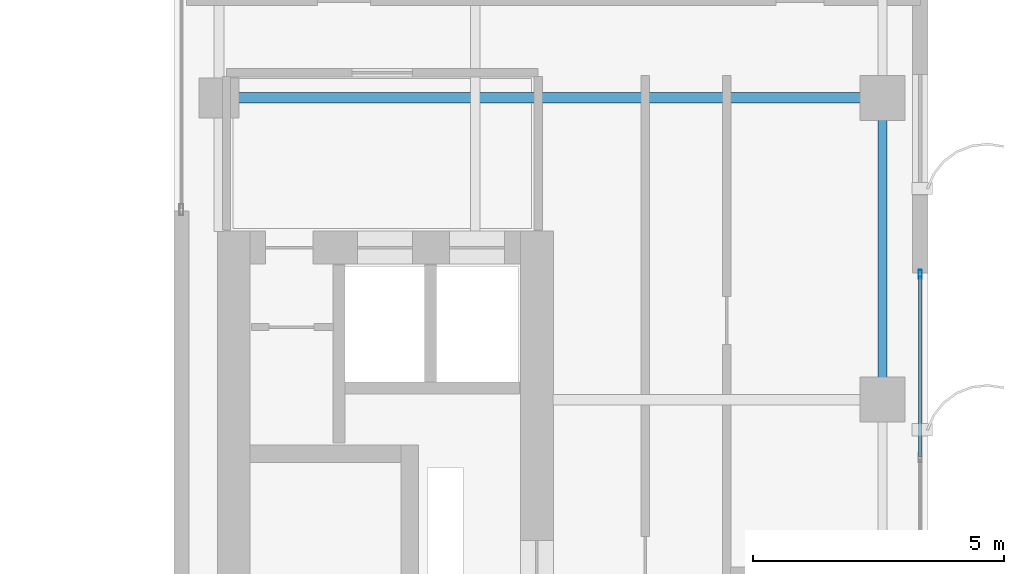
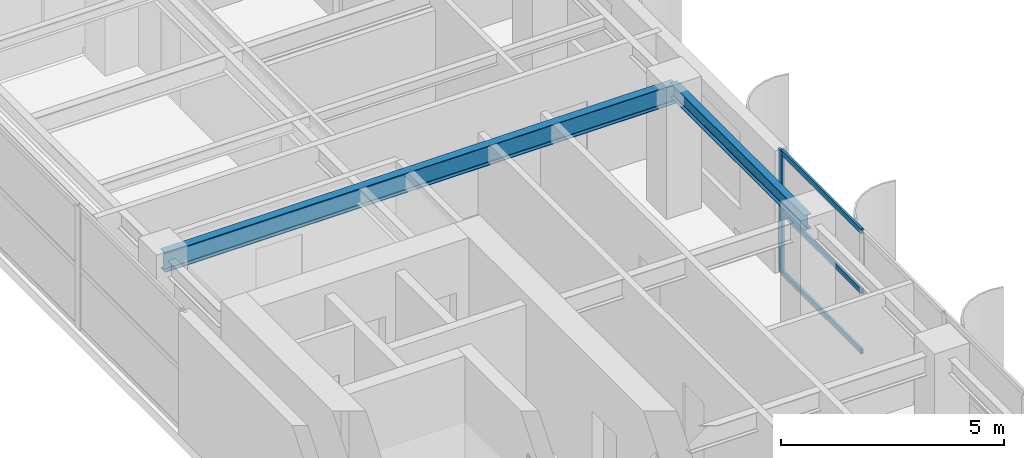
# One storey, part 12 of 22: 4 members, 2 beams, 1 element without a shape of its own.
"""IFC4 building model written with IfcOpenShell, lengths in metres."""

from ifc_helpers import new_model, si_unit, direction, frame, origin, origin_2d, place, context, subcontext, project, spatial, hollow_rectangle, i_section, extrude, source, transform, mapped, material, layer, layer_set, material_profile, profile_set, type_object, element, aggregate, save


model = new_model("IFC4")

# Units and contexts
model_context = context("Model", 3, precision=1e-05, world=origin(), true_north=direction((0.0, 1.0)))
body_context = subcontext(model_context, "Body", "Model", "MODEL_VIEW")
ifc_project = project(units=[si_unit("LENGTHUNIT", "METRE"), si_unit("AREAUNIT", "SQUARE_METRE"), si_unit("VOLUMEUNIT", "CUBIC_METRE"), si_unit("PLANEANGLEUNIT", "RADIAN"), si_unit("MASSUNIT", "GRAM", prefix="KILO")], contexts=[model_context])

# Site, building, storey
site_placement = place(None, origin())
site = spatial("IfcSite", under=ifc_project, at=site_placement, CompositionType="ELEMENT")
building_placement = place(site_placement, origin())
building = spatial("IfcBuilding", under=site, at=building_placement, Name="Khoralis Quay Care Tower", CompositionType="ELEMENT")
storey_placement = place(building_placement, frame((0.0, 0.0, 191.699951171875)))
storey = spatial("IfcBuildingStorey", under=building, at=storey_placement, Name="L50", CompositionType="ELEMENT", Elevation=191.699951171875)

# Beams
ifc_material_1 = material(Name="Steel S355", Category="steel")
ifc_material_profile_1 = material_profile(ifc_material_1, i_section(OverallWidth=0.179931640625, OverallDepth=0.39990234375, WebThickness=0.008544921875, FlangeThickness=0.013427734375, FilletRadius=0.02099609375, at=origin_2d()), Name="Steel S355")
ifc_profile_set_1 = profile_set([ifc_material_profile_1], Name="Steel S355")
beam_type_1 = type_object("IfcBeamType", Name="BM-IPE400", PredefinedType="SPANDREL", material=ifc_profile_set_1)
shared_shape_1 = source(origin(), body_context, "Body", "SweptSolid", [
    extrude(i_section(OverallWidth=0.179931640625, OverallDepth=0.39990234375, WebThickness=0.008544921875, FlangeThickness=0.013427734375, FilletRadius=0.02099609375, at=origin_2d()), origin(), (0.0, 0.0, 1.0), 6.0),
])
beam_1_placement = place(storey_placement, frame((44.10009765625, 24.0, 3.14013671875), z_axis=(0.0, 1.0, 0.0), x_axis=(-1.0, 0.0, 0.0)))
element("IfcBeam", 1, at=beam_1_placement, inside=storey, type_object=beam_type_1, Name="BM-TSP-L50-13", PredefinedType="SPANDREL", context=body_context, shape_type="MappedRepresentation", body=[
    mapped(shared_shape_1, transform((0.0, 0.0, 0.0), scale=1.0)),
])
ifc_material_profile_2 = material_profile(ifc_material_1, i_section(OverallWidth=0.208984375, OverallDepth=0.532958984375, WebThickness=0.01025390625, FlangeThickness=0.015625, FilletRadius=0.01611328125, at=origin_2d()), Name="Steel S355")
ifc_profile_set_2 = profile_set([ifc_material_profile_2], Name="Steel S355")
beam_type_2 = type_object("IfcBeamType", Name="BM-W530X92", PredefinedType="BEAM", material=ifc_profile_set_2)
shared_shape_2 = source(origin(), body_context, "Body", "SweptSolid", [
    extrude(i_section(OverallWidth=0.208984375, OverallDepth=0.532958984375, WebThickness=0.01025390625, FlangeThickness=0.015625, FilletRadius=0.01611328125, at=origin_2d()), origin(), (0.0, 0.0, 1.0), 13.2001953125),
])
beam_2_placement = place(storey_placement, frame((30.89990234375, 30.0, 3.073486328125), z_axis=(1.0, 0.0, 0.0), x_axis=(0.0, 1.0, 0.0)))
element("IfcBeam", 2, at=beam_2_placement, inside=storey, type_object=beam_type_2, Name="BM-TGXE-L50-300", PredefinedType="BEAM", context=body_context, shape_type="MappedRepresentation", body=[
    mapped(shared_shape_2, transform((0.0, 0.0, 0.0), scale=1.0)),
])

# Curtain wall, members
ifc_material_2 = material(Name="Pale anodised aluminium", Category="aluminium")
ifc_layer = layer(ifc_material_2, 0.159912109375)
ifc_layer_set = layer_set([ifc_layer], Name="Pale anodised aluminium")
curtain_wall_type = type_object("IfcCurtainWallType", Name="CW-SYS-Z3", PredefinedType="NOTDEFINED", material=ifc_layer_set)
curtain_wall_placement = place(storey_placement, origin())
curtain_wall = element("IfcCurtainWall", 3, at=curtain_wall_placement, inside=storey, type_object=curtain_wall_type, Name="L50 Unitised Curtain Wall CW-L50-P2-E5", PredefinedType="NOTDEFINED")
ifc_material_profile_3 = material_profile(ifc_material_2, hollow_rectangle(XDim=0.06494140625, YDim=0.179931640625, WallThickness=0.00390625, at=origin_2d()), Name="Pale anodised aluminium")
ifc_profile_set_3 = profile_set([ifc_material_profile_3], Name="Pale anodised aluminium")
member_type_1 = type_object("IfcMemberType", Name="CW-MUL-180", PredefinedType="MULLION", material=ifc_profile_set_3)
shared_shape_3 = source(origin(), body_context, "Body", "SweptSolid", [
    extrude(hollow_rectangle(XDim=0.06494140625, YDim=0.179931640625, WallThickness=0.00390625, at=origin_2d()), origin(), (0.0, 0.0, 1.0), 3.340087890625),
])
member_1_placement = place(storey_placement, frame((44.85009765625, 26.489990234375, 0.0), z_axis=(0.0, 0.0, 1.0), x_axis=(-1.0, 0.0, 0.0)))
member_1 = element("IfcMember", 4, at=member_1_placement, type_object=member_type_1, Name="CW3 mullion 4", PredefinedType="MULLION", context=body_context, shape_type="MappedRepresentation", body=[
    mapped(shared_shape_3, transform((0.0, 0.0, 0.0), scale=1.0)),
])
ifc_material_profile_4 = material_profile(ifc_material_2, hollow_rectangle(XDim=0.06005859375, YDim=0.139892578125, WallThickness=0.00390625, at=origin_2d()), Name="Pale anodised aluminium")
ifc_profile_set_4 = profile_set([ifc_material_profile_4], Name="Pale anodised aluminium")
member_type_2 = type_object("IfcMemberType", Name="CW-TRN-140", PredefinedType="USERDEFINED", material=ifc_profile_set_4)
shared_shape_4 = source(origin(), body_context, "Body", "SweptSolid", [
    extrude(hollow_rectangle(XDim=0.06005859375, YDim=0.139892578125, WallThickness=0.00390625, at=origin_2d()), origin(), (0.0, 0.0, 1.0), 3.58984375),
])
member_2_placement = place(storey_placement, frame((44.85009765625, 22.8701171875, 0.030029296875), z_axis=(0.0, 1.0, 0.0), x_axis=(-1.0, 0.0, 0.0)))
member_2 = element("IfcMember", 5, at=member_2_placement, type_object=member_type_2, Name="CW3 transom 3.1", ObjectType="TRANSOM", PredefinedType="USERDEFINED", context=body_context, shape_type="MappedRepresentation", body=[
    mapped(shared_shape_4, transform((0.0, 0.0, 0.0), scale=1.0)),
])
member_3_placement = place(storey_placement, frame((44.85009765625, 22.8701171875, 1.670166015625), z_axis=(0.0, 1.0, 0.0), x_axis=(-1.0, 0.0, 0.0)))
member_3 = element("IfcMember", 6, at=member_3_placement, type_object=member_type_2, Name="CW3 transom 3.2", ObjectType="TRANSOM", PredefinedType="USERDEFINED", context=body_context, shape_type="MappedRepresentation", body=[
    mapped(shared_shape_4, transform((0.0, 0.0, 0.0), scale=1.0)),
])
member_4_placement = place(storey_placement, frame((44.85009765625, 22.8701171875, 3.31005859375), z_axis=(0.0, 1.0, 0.0), x_axis=(-1.0, 0.0, 0.0)))
member_4 = element("IfcMember", 7, at=member_4_placement, type_object=member_type_2, Name="CW3 transom 3.3", ObjectType="TRANSOM", PredefinedType="USERDEFINED", context=body_context, shape_type="MappedRepresentation", body=[
    mapped(shared_shape_4, transform((0.0, 0.0, 0.0), scale=1.0)),
])
aggregate(curtain_wall, [member_1, member_2, member_3, member_4])

save(model, "model.ifc")
